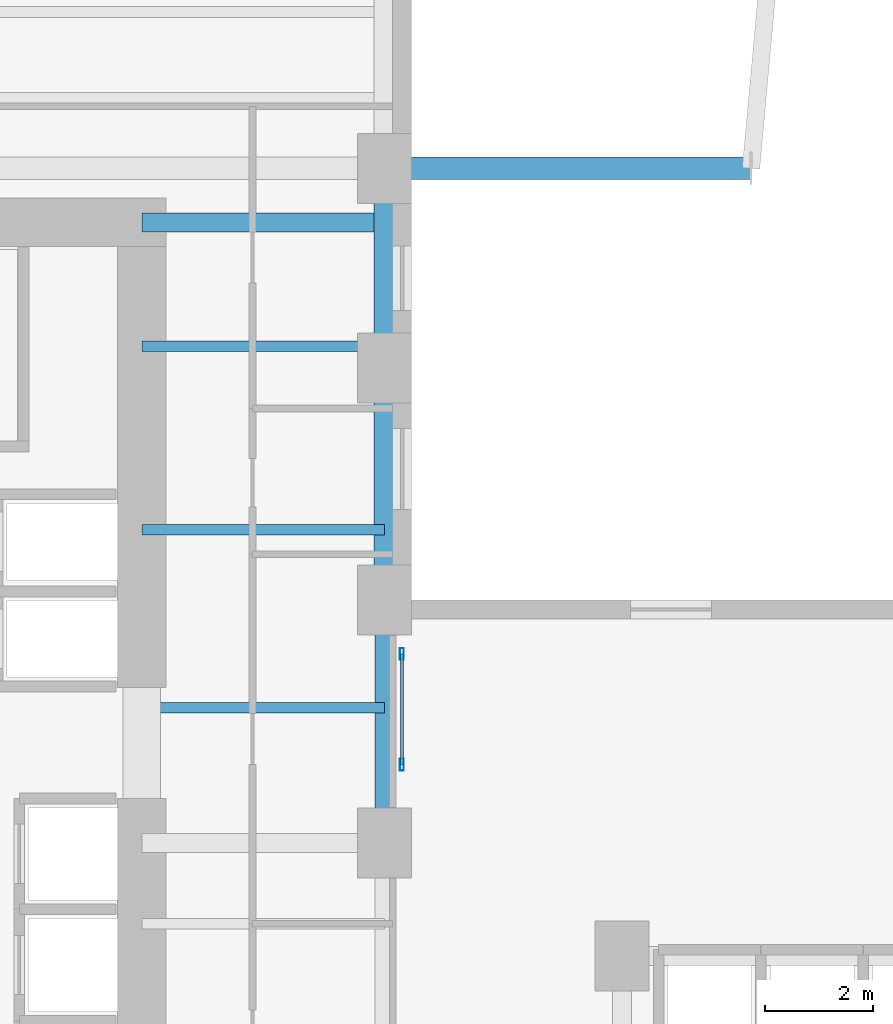
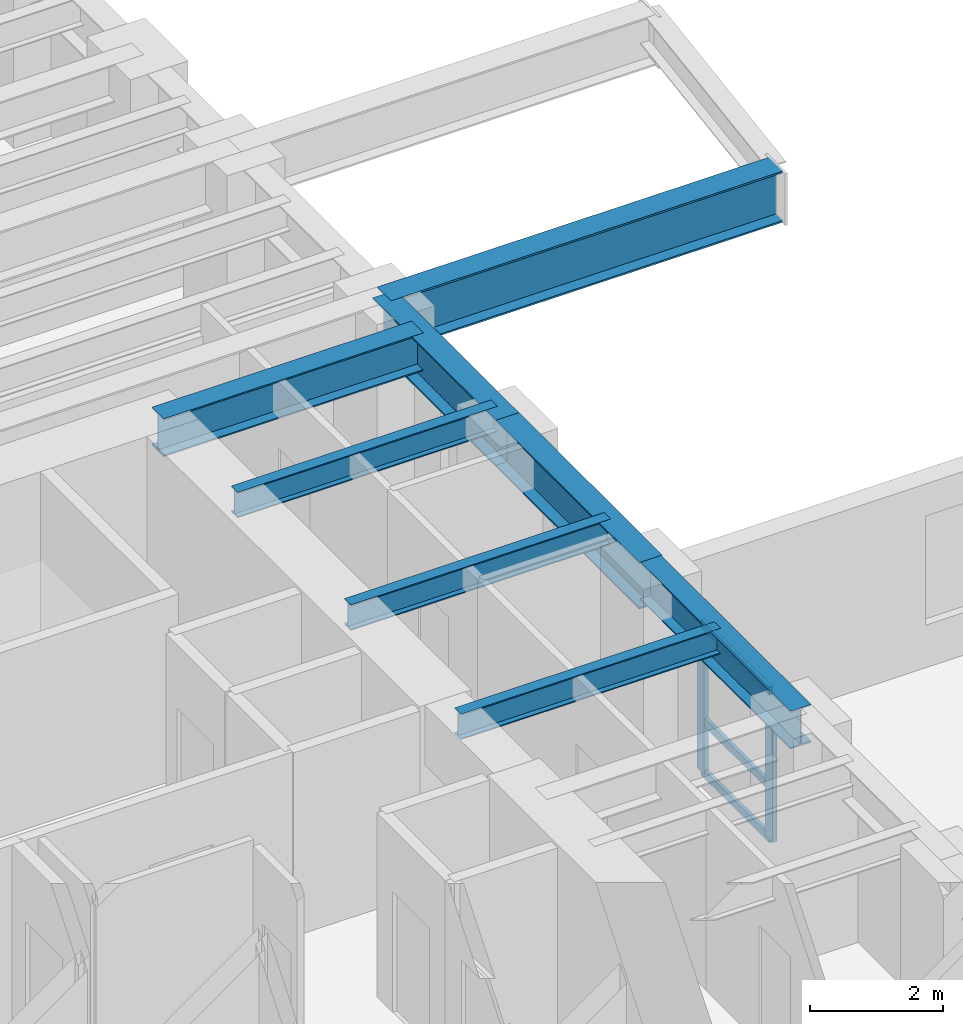
# One storey, part 2 of 15: 8 beams, 5 members, 1 element without a shape of its own.
"""IFC4 building model written with IfcOpenShell, lengths in metres."""

from ifc_helpers import new_model, si_unit, direction, frame, origin, origin_2d, place, context, subcontext, project, spatial, hollow_rectangle, i_section, extrude, source, transform, mapped, material, layer, layer_set, material_profile, profile_set, type_object, element, aggregate, save


model = new_model("IFC4")

# Units and contexts
model_context = context("Model", 3, precision=1e-05, world=origin(), true_north=direction((0.0, 1.0)))
body_context = subcontext(model_context, "Body", "Model", "MODEL_VIEW")
ifc_project = project(units=[si_unit("LENGTHUNIT", "METRE"), si_unit("AREAUNIT", "SQUARE_METRE"), si_unit("VOLUMEUNIT", "CUBIC_METRE"), si_unit("PLANEANGLEUNIT", "RADIAN"), si_unit("MASSUNIT", "GRAM", prefix="KILO")], contexts=[model_context])

# Site, building, storey
site_placement = place(None, origin())
site = spatial("IfcSite", under=ifc_project, at=site_placement, CompositionType="ELEMENT")
building_placement = place(site_placement, origin())
building = spatial("IfcBuilding", under=site, at=building_placement, Name="Kharzan Plaza Tower", CompositionType="ELEMENT")
storey_placement = place(building_placement, frame((0.0, 0.0, 22.5)))
storey = spatial("IfcBuildingStorey", under=building, at=storey_placement, Name="L05", CompositionType="ELEMENT", Elevation=22.5)

# Beams
ifc_material_1 = material(Name="Steel S355", Category="steel")
ifc_material_profile_1 = material_profile(ifc_material_1, i_section(OverallWidth=0.35498046875, OverallDepth=0.695068359375, WebThickness=0.015380859375, FlangeThickness=0.02490234375, at=origin_2d()), Name="W690x217")
ifc_profile_set_1 = profile_set([ifc_material_profile_1], Name="Steel S355")
beam_type_1 = type_object("IfcBeamType", Name="BM-FG690A", PredefinedType="BEAM", material=ifc_profile_set_1)
shared_shape_1 = source(origin(), body_context, "Body", "SweptSolid", [
    extrude(i_section(OverallWidth=0.35498046875, OverallDepth=0.695068359375, WebThickness=0.015380859375, FlangeThickness=0.02490234375, at=origin_2d()), origin(), (0.0, 0.0, 1.0), 4.5),
])
for number, where, z_axis, x_axis, name in (
    (1, (14.5, 29.5, 3.032470703125), (1.0, 0.0, 0.0), (0.0, 1.0, 0.0), "L05 Core-A East Floor Girder 3"),
    (2, (19.0, 18.0, 3.032470703125), (0.0, 1.0, 0.0), (-1.0, 0.0, 0.0), "L05 Interior Frame Girder"),
):
    element("IfcBeam", number, at=place(storey_placement, frame(where, z_axis=z_axis, x_axis=x_axis)), inside=storey, type_object=beam_type_1, Name=name, PredefinedType="BEAM", context=body_context, shape_type="MappedRepresentation", body=[
        mapped(shared_shape_1, transform((0.0, 0.0, 0.0), x_axis=(1.0, 0.0, 0.0), y_axis=(0.0, 1.0, 0.0), z_axis=(0.0, 0.0, 1.0))),
    ])
ifc_material_profile_2 = material_profile(ifc_material_1, i_section(OverallWidth=0.194091796875, OverallDepth=0.468994140625, WebThickness=0.011474609375, FlangeThickness=0.0205078125, at=origin_2d()), Name="W460x106")
ifc_profile_set_2 = profile_set([ifc_material_profile_2], Name="Steel S355")
beam_type_2 = type_object("IfcBeamType", Name="BM-JST460", PredefinedType="JOIST", material=ifc_profile_set_2)
shared_shape_2 = source(origin(), body_context, "Body", "SweptSolid", [
    extrude(i_section(OverallWidth=0.194091796875, OverallDepth=0.468994140625, WebThickness=0.011474609375, FlangeThickness=0.0205078125, at=origin_2d()), origin(), (0.0, 0.0, 1.0), 4.5),
])
for number, where, z_axis, x_axis, name in (
    (3, (14.5, 20.5, 3.1455078125), (1.0, 0.0, 0.0), (0.0, 1.0, 0.0), "L05 Wing A East Infill Joist 4"),
    (4, (14.5, 23.800048828125, 3.1455078125), (1.0, 0.0, 0.0), (0.0, 1.0, 0.0), "L05 Wing A East Infill Joist 5"),
    (5, (14.5, 27.199951171875, 3.1455078125), (1.0, 0.0, 0.0), (0.0, 1.0, 0.0), "L05 Wing A East Infill Joist 6"),
):
    element("IfcBeam", number, at=place(storey_placement, frame(where, z_axis=z_axis, x_axis=x_axis)), inside=storey, type_object=beam_type_2, Name=name, PredefinedType="JOIST", context=body_context, shape_type="MappedRepresentation", body=[
        mapped(shared_shape_2, transform((0.0, 0.0, 0.0), x_axis=(1.0, 0.0, 0.0), y_axis=(0.0, 1.0, 0.0), z_axis=(0.0, 0.0, 1.0))),
    ])
ifc_material_profile_3 = material_profile(ifc_material_1, i_section(OverallWidth=0.40087890625, OverallDepth=0.85498046875, WebThickness=0.018310546875, FlangeThickness=0.029296875, at=origin_2d()), Name="W840x299")
ifc_profile_set_3 = profile_set([ifc_material_profile_3], Name="Steel S355")
beam_type_3 = type_object("IfcBeamType", Name="BM-SP840A", PredefinedType="SPANDREL", material=ifc_profile_set_3)
shared_shape_3 = source(origin(), body_context, "Body", "SweptSolid", [
    extrude(i_section(OverallWidth=0.40087890625, OverallDepth=0.85498046875, WebThickness=0.018310546875, FlangeThickness=0.029296875, at=origin_2d()), origin(), (0.0, 0.0, 1.0), 4.300048828125),
])
beam_1_placement = place(storey_placement, frame((19.0, 22.5, 2.952392578125), z_axis=(0.0, 1.0, 0.0), x_axis=(-1.0, 0.0, 0.0)))
element("IfcBeam", 6, at=beam_1_placement, inside=storey, type_object=beam_type_3, Name="L05 Perimeter Tube Spandrel", PredefinedType="SPANDREL", context=body_context, shape_type="MappedRepresentation", body=[
    mapped(shared_shape_3, transform((0.0, 0.0, 0.0), x_axis=(1.0, 0.0, 0.0), y_axis=(0.0, 1.0, 0.0), z_axis=(0.0, 0.0, 1.0))),
])
shared_shape_4 = source(origin(), body_context, "Body", "SweptSolid", [
    extrude(i_section(OverallWidth=0.40087890625, OverallDepth=0.85498046875, WebThickness=0.018310546875, FlangeThickness=0.029296875, at=origin_2d()), origin(), (0.0, 0.0, 1.0), 3.699951171875),
])
beam_2_placement = place(storey_placement, frame((19.0, 26.800048828125, 2.952392578125), z_axis=(0.0, 1.0, 0.0), x_axis=(-1.0, 0.0, 0.0)))
element("IfcBeam", 7, at=beam_2_placement, inside=storey, type_object=beam_type_3, Name="L05 Perimeter Tube Spandrel", PredefinedType="SPANDREL", context=body_context, shape_type="MappedRepresentation", body=[
    mapped(shared_shape_4, transform((0.0, 0.0, 0.0), x_axis=(1.0, 0.0, 0.0), y_axis=(0.0, 1.0, 0.0), z_axis=(0.0, 0.0, 1.0))),
])
ifc_material_profile_4 = material_profile(ifc_material_1, i_section(OverallWidth=0.41796875, OverallDepth=0.93701171875, WebThickness=0.019287109375, FlangeThickness=0.031982421875, at=origin_2d()), Name="W920x342")
ifc_profile_set_4 = profile_set([ifc_material_profile_4], Name="Steel S355")
beam_type_4 = type_object("IfcBeamType", Name="BM-ZTG920", PredefinedType="BEAM", material=ifc_profile_set_4)
shared_shape_5 = source(origin(), body_context, "Body", "SweptSolid", [
    extrude(i_section(OverallWidth=0.41796875, OverallDepth=0.93701171875, WebThickness=0.019287109375, FlangeThickness=0.031982421875, at=origin_2d()), origin(), (0.0, 0.0, 1.0), 6.7900390625),
])
beam_3_placement = place(storey_placement, frame((19.0, 30.5, 2.91162109375), z_axis=(1.0, 0.0, 0.0), x_axis=(0.0, 1.0, 0.0)))
element("IfcBeam", 8, at=beam_3_placement, inside=storey, type_object=beam_type_4, Name="L05 Sky-Terrace Cantilever Girder ZTG1 (L06 G1)", PredefinedType="BEAM", context=body_context, shape_type="MappedRepresentation", body=[
    mapped(shared_shape_5, transform((0.0, 0.0, 0.0), x_axis=(1.0, 0.0, 0.0), y_axis=(0.0, 1.0, 0.0), z_axis=(0.0, 0.0, 1.0))),
])

# Curtain wall, members
ifc_material_2 = material(Name="Unitised Bronze-Anodized Aluminium and Low-E Glass", Category="aluminium")
ifc_layer = layer(ifc_material_2, 0.199951171875)
ifc_layer_set = layer_set([ifc_layer], Name="Unitised Bronze-Anodized Aluminium and Low-E Glass")
curtain_wall_type = type_object("IfcCurtainWallType", Name="CW-SLOT-3", PredefinedType="NOTDEFINED", material=ifc_layer_set)
curtain_wall_placement = place(storey_placement, origin())
curtain_wall = element("IfcCurtainWall", 9, at=curtain_wall_placement, inside=storey, type_object=curtain_wall_type, Name="L05 West Slot Recessed Spine Curtain Wall", PredefinedType="NOTDEFINED")
ifc_material_3 = material(Name="Anodized Bronze Aluminium", Category="aluminium")
ifc_material_profile_5 = material_profile(ifc_material_3, hollow_rectangle(XDim=0.074951171875, YDim=0.219970703125, WallThickness=0.00390625, at=origin_2d()), Name="ALU-M220x75x4")
ifc_profile_set_5 = profile_set([ifc_material_profile_5], Name="Anodized Bronze Aluminium")
member_type_1 = type_object("IfcMemberType", Name="MEM-CW-MUL200", PredefinedType="MULLION", material=ifc_profile_set_5)
shared_shape_6 = source(origin(), body_context, "Body", "SweptSolid", [
    extrude(hollow_rectangle(XDim=0.074951171875, YDim=0.219970703125, WallThickness=0.00390625, at=origin_2d()), origin(), (0.0, 0.0, 1.0), 2.699951171875),
])
member_1_placement = place(storey_placement, frame((19.320068359375, 19.449951171875, 0.0), z_axis=(0.0, 0.0, 1.0), x_axis=(1.0, 0.0, 0.0)))
member_1 = element("IfcMember", 10, at=member_1_placement, type_object=member_type_1, Name="L05 Curtain-Wall Mullion 00", PredefinedType="MULLION", context=body_context, shape_type="MappedRepresentation", body=[
    mapped(shared_shape_6, transform((0.0, 0.0, 0.0), x_axis=(1.0, 0.0, 0.0), y_axis=(0.0, 1.0, 0.0), z_axis=(0.0, 0.0, 1.0))),
])
member_2_placement = place(storey_placement, frame((19.320068359375, 21.5, 0.0), z_axis=(0.0, 0.0, 1.0), x_axis=(1.0, 0.0, 0.0)))
member_2 = element("IfcMember", 11, at=member_2_placement, type_object=member_type_1, Name="L05 Curtain-Wall Mullion 01", PredefinedType="MULLION", context=body_context, shape_type="MappedRepresentation", body=[
    mapped(shared_shape_6, transform((0.0, 0.0, 0.0), x_axis=(1.0, 0.0, 0.0), y_axis=(0.0, 1.0, 0.0), z_axis=(0.0, 0.0, 1.0))),
])
ifc_material_profile_6 = material_profile(ifc_material_3, hollow_rectangle(XDim=0.06005859375, YDim=0.14990234375, WallThickness=0.00341796875, at=origin_2d()), Name="ALU-T150x60x3.5")
ifc_profile_set_6 = profile_set([ifc_material_profile_6], Name="Anodized Bronze Aluminium")
member_type_2 = type_object("IfcMemberType", Name="MEM-CW-TRN150", PredefinedType="USERDEFINED", material=ifc_profile_set_6)
shared_shape_7 = source(origin(), body_context, "Body", "SweptSolid", [
    extrude(hollow_rectangle(XDim=0.06005859375, YDim=0.14990234375, WallThickness=0.00341796875, at=origin_2d()), origin(), (0.0, 0.0, 1.0), 2.050048828125),
])
member_3_placement = place(storey_placement, frame((19.320068359375, 19.449951171875, 0.0), z_axis=(0.0, 1.0, 0.0), x_axis=(-1.0, 0.0, 0.0)))
member_3 = element("IfcMember", 12, at=member_3_placement, type_object=member_type_2, Name="L05 Curtain-Wall Transom 1", ObjectType="TRANSOM", PredefinedType="USERDEFINED", context=body_context, shape_type="MappedRepresentation", body=[
    mapped(shared_shape_7, transform((0.0, 0.0, 0.0), x_axis=(1.0, 0.0, 0.0), y_axis=(0.0, 1.0, 0.0), z_axis=(0.0, 0.0, 1.0))),
])
member_4_placement = place(storey_placement, frame((19.320068359375, 19.449951171875, 0.949951171875), z_axis=(0.0, 1.0, 0.0), x_axis=(-1.0, 0.0, 0.0)))
member_4 = element("IfcMember", 13, at=member_4_placement, type_object=member_type_2, Name="L05 Curtain-Wall Transom 2", ObjectType="TRANSOM", PredefinedType="USERDEFINED", context=body_context, shape_type="MappedRepresentation", body=[
    mapped(shared_shape_7, transform((0.0, 0.0, 0.0), x_axis=(1.0, 0.0, 0.0), y_axis=(0.0, 1.0, 0.0), z_axis=(0.0, 0.0, 1.0))),
])
member_5_placement = place(storey_placement, frame((19.320068359375, 19.449951171875, 2.699951171875), z_axis=(0.0, 1.0, 0.0), x_axis=(-1.0, 0.0, 0.0)))
member_5 = element("IfcMember", 14, at=member_5_placement, type_object=member_type_2, Name="L05 Curtain-Wall Transom 3", ObjectType="TRANSOM", PredefinedType="USERDEFINED", context=body_context, shape_type="MappedRepresentation", body=[
    mapped(shared_shape_7, transform((0.0, 0.0, 0.0), x_axis=(1.0, 0.0, 0.0), y_axis=(0.0, 1.0, 0.0), z_axis=(0.0, 0.0, 1.0))),
])
aggregate(curtain_wall, [member_1, member_2, member_3, member_4, member_5])

save(model, "model.ifc")
